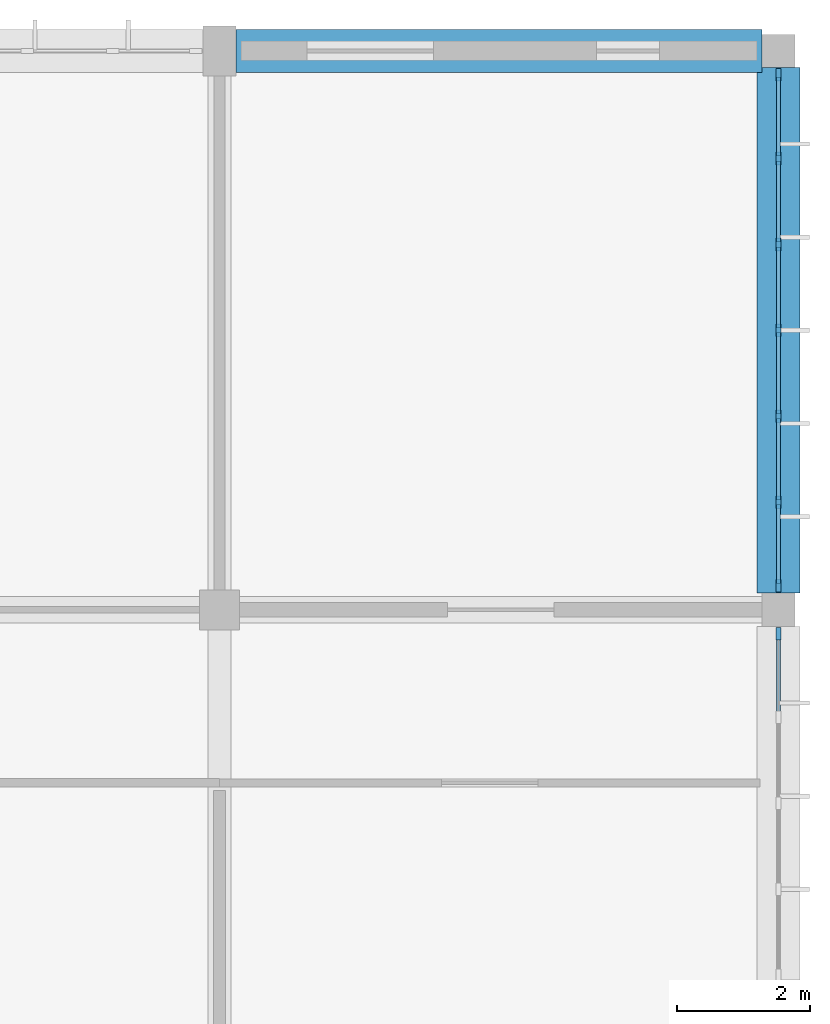
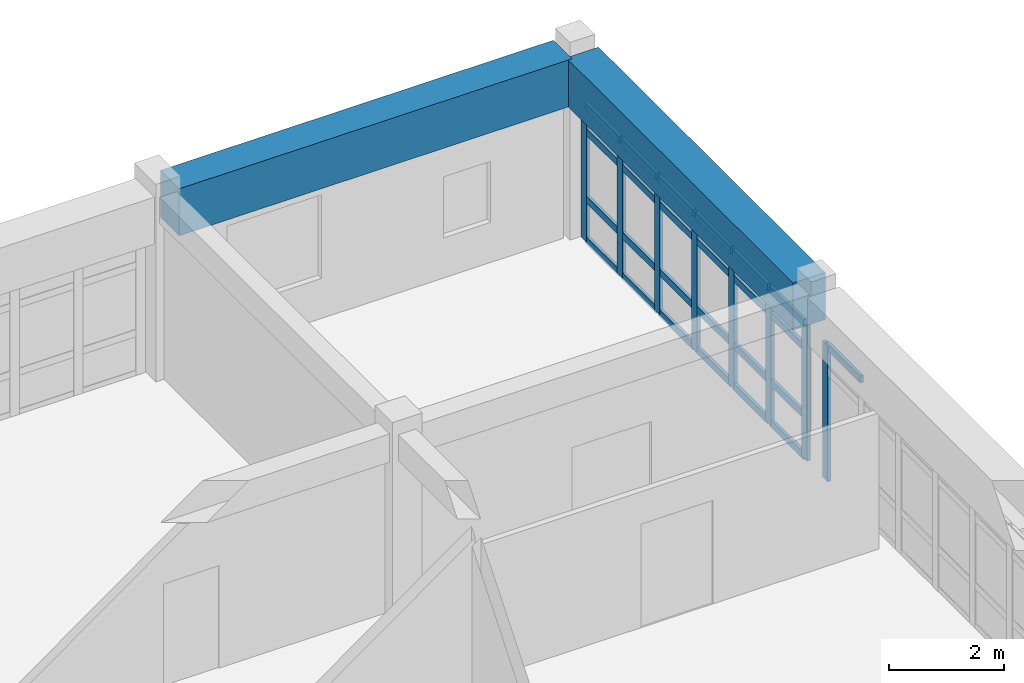
# One storey, part 54 of 119: 33 members, 2 beams, 2 elements without a shape of their own.
"""IFC4 building model written with IfcOpenShell, lengths in metres."""

from ifc_helpers import new_model, si_unit, direction, frame, origin, origin_2d, place, context, subcontext, project, spatial, rectangle, extrude, material, layer, layer_set, material_profile, profile_set, type_object, element, aggregate, save


model = new_model("IFC4")

# Units and contexts
model_context = context("Model", 3, precision=1e-05, world=origin(), true_north=direction((0.0, 1.0)))
body_context = subcontext(model_context, "Body", "Model", "MODEL_VIEW")
ifc_project = project(units=[si_unit("LENGTHUNIT", "METRE"), si_unit("AREAUNIT", "SQUARE_METRE"), si_unit("VOLUMEUNIT", "CUBIC_METRE"), si_unit("PLANEANGLEUNIT", "RADIAN"), si_unit("MASSUNIT", "GRAM", prefix="KILO")], contexts=[model_context])

# Site, building, storey
site_placement = place(None, origin())
site = spatial("IfcSite", under=ifc_project, at=site_placement, CompositionType="ELEMENT")
building_placement = place(site_placement, origin())
building = spatial("IfcBuilding", under=site, at=building_placement, Name="Bramfleet General Hospital", CompositionType="ELEMENT")
storey_placement = place(building_placement, frame((0.0, 0.0, 14.39990234375)))
storey = spatial("IfcBuildingStorey", under=building, at=storey_placement, Name="L03", CompositionType="ELEMENT", Elevation=14.39990234375)

# Beams
ifc_material_1 = material(Name="Concrete C40/50", Category="concrete")
ifc_material_profile_1 = material_profile(ifc_material_1, rectangle(XDim=0.64990234375, YDim=1.0, at=origin_2d()), Name="RC TG 1000x650")
ifc_profile_set_1 = profile_set([ifc_material_profile_1], Name="Concrete C40/50")
beam_type = type_object("IfcBeamType", Name="BM-TG1000", PredefinedType="BEAM", material=ifc_profile_set_1)
beam_1_placement = place(storey_placement, frame((159.85009765625, 117.60009765625, 3.400146484375), z_axis=(1.0, 0.0, 0.0), x_axis=(0.0, 1.0, 0.0)))
element("IfcBeam", 1, at=beam_1_placement, inside=storey, type_object=beam_type, Name="L03 Transfer Girder X 19-14", PredefinedType="BEAM", context=body_context, shape_type="SweptSolid", body=[
    extrude(rectangle(XDim=0.64990234375, YDim=1.0, at=origin_2d()), origin(), (0.0, 0.0, 1.0), 7.89990234375),
])
beam_2_placement = place(storey_placement, frame((168.0, 109.449951171875, 3.400146484375), z_axis=(0.0, 1.0, 0.0), x_axis=(-1.0, 0.0, 0.0)))
element("IfcBeam", 2, at=beam_2_placement, inside=storey, type_object=beam_type, Name="L03 Transfer Girder Y 20-13", PredefinedType="BEAM", context=body_context, shape_type="SweptSolid", body=[
    extrude(rectangle(XDim=0.64990234375, YDim=1.0, at=origin_2d()), origin(), (0.0, 0.0, 1.0), 7.900146484375),
])

# Curtain wall, members
ifc_material_2 = material(Name="Anodised aluminium and low-E triple glazing", Category="aluminium")
ifc_layer_1 = layer(ifc_material_2, 0.179931640625, Name="CWT-CW-04")
ifc_layer_set_1 = layer_set([ifc_layer_1], Name="Anodised aluminium and low-E triple glazing")
curtain_wall_type_1 = type_object("IfcCurtainWallType", Name="CWT-CW-04", PredefinedType="USERDEFINED", material=ifc_layer_set_1)
curtain_wall_1_placement = place(storey_placement, origin())
curtain_wall_1 = element("IfcCurtainWall", 3, at=curtain_wall_1_placement, inside=storey, type_object=curtain_wall_type_1, Name="L03 Curtain Wall 148", ObjectType="Unitised curtain wall", PredefinedType="USERDEFINED")
ifc_material_3 = material(Name="Structural timber GL28h", Category="wood")
ifc_material_profile_2 = material_profile(ifc_material_3, rectangle(XDim=0.070068359375, YDim=0.18994140625, at=origin_2d()), Name="LARCH 190x70")
ifc_profile_set_2 = profile_set([ifc_material_profile_2], Name="Structural timber GL28h")
member_type_1 = type_object("IfcMemberType", Name="CWM-LARCH450", PredefinedType="MULLION", material=ifc_profile_set_2)
member_1_placement = place(storey_placement, frame((168.0, 117.239990234375, 0.0), z_axis=(0.0, 0.0, 1.0), x_axis=(1.0, 0.0, 0.0)))
member_1 = element("IfcMember", 4, at=member_1_placement, type_object=member_type_1, Name="CW-04 mullion 1", PredefinedType="MULLION", context=body_context, shape_type="SweptSolid", body=[
    extrude(rectangle(XDim=0.070068359375, YDim=0.18994140625, at=origin_2d()), origin(), (0.0, 0.0, 1.0), 2.89013671875),
])
member_2_placement = place(storey_placement, frame((168.0, 115.9833984375, 0.0), z_axis=(0.0, 0.0, 1.0), x_axis=(1.0, 0.0, 0.0)))
member_2 = element("IfcMember", 5, at=member_2_placement, type_object=member_type_1, Name="CW-04 mullion 2", PredefinedType="MULLION", context=body_context, shape_type="SweptSolid", body=[
    extrude(rectangle(XDim=0.070068359375, YDim=0.18994140625, at=origin_2d()), origin(), (0.0, 0.0, 1.0), 2.89013671875),
])
member_3_placement = place(storey_placement, frame((168.0, 114.691650390625, 0.0), z_axis=(0.0, 0.0, 1.0), x_axis=(1.0, 0.0, 0.0)))
member_3 = element("IfcMember", 6, at=member_3_placement, type_object=member_type_1, Name="CW-04 mullion 3", PredefinedType="MULLION", context=body_context, shape_type="SweptSolid", body=[
    extrude(rectangle(XDim=0.070068359375, YDim=0.18994140625, at=origin_2d()), origin(), (0.0, 0.0, 1.0), 2.89013671875),
])
member_4_placement = place(storey_placement, frame((168.0, 113.39990234375, 0.0), z_axis=(0.0, 0.0, 1.0), x_axis=(1.0, 0.0, 0.0)))
member_4 = element("IfcMember", 7, at=member_4_placement, type_object=member_type_1, Name="CW-04 mullion 4", PredefinedType="MULLION", context=body_context, shape_type="SweptSolid", body=[
    extrude(rectangle(XDim=0.070068359375, YDim=0.18994140625, at=origin_2d()), origin(), (0.0, 0.0, 1.0), 2.89013671875),
])
member_5_placement = place(storey_placement, frame((168.0, 112.1083984375, 0.0), z_axis=(0.0, 0.0, 1.0), x_axis=(1.0, 0.0, 0.0)))
member_5 = element("IfcMember", 8, at=member_5_placement, type_object=member_type_1, Name="CW-04 mullion 5", PredefinedType="MULLION", context=body_context, shape_type="SweptSolid", body=[
    extrude(rectangle(XDim=0.070068359375, YDim=0.18994140625, at=origin_2d()), origin(), (0.0, 0.0, 1.0), 2.89013671875),
])
member_6_placement = place(storey_placement, frame((168.0, 110.816650390625, 0.0), z_axis=(0.0, 0.0, 1.0), x_axis=(1.0, 0.0, 0.0)))
member_6 = element("IfcMember", 9, at=member_6_placement, type_object=member_type_1, Name="CW-04 mullion 6", PredefinedType="MULLION", context=body_context, shape_type="SweptSolid", body=[
    extrude(rectangle(XDim=0.070068359375, YDim=0.18994140625, at=origin_2d()), origin(), (0.0, 0.0, 1.0), 2.89013671875),
])
member_7_placement = place(storey_placement, frame((168.0, 109.56005859375, 0.0), z_axis=(0.0, 0.0, 1.0), x_axis=(1.0, 0.0, 0.0)))
member_7 = element("IfcMember", 10, at=member_7_placement, type_object=member_type_1, Name="CW-04 mullion 7", PredefinedType="MULLION", context=body_context, shape_type="SweptSolid", body=[
    extrude(rectangle(XDim=0.070068359375, YDim=0.18994140625, at=origin_2d()), origin(), (0.0, 0.0, 1.0), 2.89013671875),
])

# Curtain wall, member
ifc_layer_2 = layer(ifc_material_2, 0.179931640625, Name="CWT-CW-05")
ifc_layer_set_2 = layer_set([ifc_layer_2], Name="Anodised aluminium and low-E triple glazing")
curtain_wall_type_2 = type_object("IfcCurtainWallType", Name="CWT-CW-05", PredefinedType="USERDEFINED", material=ifc_layer_set_2)
curtain_wall_2_placement = place(storey_placement, origin())
curtain_wall_2 = element("IfcCurtainWall", 11, at=curtain_wall_2_placement, inside=storey, type_object=curtain_wall_type_2, Name="L03 Curtain Wall 149", ObjectType="Unitised curtain wall", PredefinedType="USERDEFINED")
member_8_placement = place(storey_placement, frame((168.0, 108.840087890625, 0.0), z_axis=(0.0, 0.0, 1.0), x_axis=(1.0, 0.0, 0.0)))
member_8 = element("IfcMember", 12, at=member_8_placement, type_object=member_type_1, Name="CW-05 mullion 1", PredefinedType="MULLION", context=body_context, shape_type="SweptSolid", body=[
    extrude(rectangle(XDim=0.070068359375, YDim=0.18994140625, at=origin_2d()), origin(), (0.0, 0.0, 1.0), 2.89013671875),
])

# Member
ifc_material_profile_3 = material_profile(ifc_material_3, rectangle(XDim=0.06494140625, YDim=0.14990234375, at=origin_2d()), Name="LARCH 150x65")
ifc_profile_set_3 = profile_set([ifc_material_profile_3], Name="Structural timber GL28h")
member_type_2 = type_object("IfcMemberType", Name="CWT-LARCH220", PredefinedType="USERDEFINED", material=ifc_profile_set_3)
member_9_placement = place(storey_placement, frame((168.0, 117.205078125, 0.03271484375), z_axis=(0.0, -1.0, 0.0), x_axis=(1.0, 0.0, 0.0)))
member_9 = element("IfcMember", 13, at=member_9_placement, type_object=member_type_2, Name="CW-04 transom 1.1", ObjectType="TRANSOM", PredefinedType="USERDEFINED", context=body_context, shape_type="SweptSolid", body=[
    extrude(rectangle(XDim=0.06494140625, YDim=0.14990234375, at=origin_2d()), origin(), (0.0, 0.0, 1.0), 1.186767578125),
])

member_10_placement = place(storey_placement, frame((168.0, 117.205078125, 0.900146484375), z_axis=(0.0, -1.0, 0.0), x_axis=(1.0, 0.0, 0.0)))
member_10 = element("IfcMember", 14, at=member_10_placement, type_object=member_type_2, Name="CW-04 transom 1.2", ObjectType="TRANSOM", PredefinedType="USERDEFINED", context=body_context, shape_type="SweptSolid", body=[
    extrude(rectangle(XDim=0.06494140625, YDim=0.14990234375, at=origin_2d()), origin(), (0.0, 0.0, 1.0), 1.186767578125),
])

member_11_placement = place(storey_placement, frame((168.0, 117.205078125, 2.340087890625), z_axis=(0.0, -1.0, 0.0), x_axis=(1.0, 0.0, 0.0)))
member_11 = element("IfcMember", 15, at=member_11_placement, type_object=member_type_2, Name="CW-04 transom 1.3", ObjectType="TRANSOM", PredefinedType="USERDEFINED", context=body_context, shape_type="SweptSolid", body=[
    extrude(rectangle(XDim=0.06494140625, YDim=0.14990234375, at=origin_2d()), origin(), (0.0, 0.0, 1.0), 1.186767578125),
])

member_12_placement = place(storey_placement, frame((168.0, 117.205078125, 2.857666015625), z_axis=(0.0, -1.0, 0.0), x_axis=(1.0, 0.0, 0.0)))
member_12 = element("IfcMember", 16, at=member_12_placement, type_object=member_type_2, Name="CW-04 transom 1.4", ObjectType="TRANSOM", PredefinedType="USERDEFINED", context=body_context, shape_type="SweptSolid", body=[
    extrude(rectangle(XDim=0.06494140625, YDim=0.14990234375, at=origin_2d()), origin(), (0.0, 0.0, 1.0), 1.186767578125),
])

member_13_placement = place(storey_placement, frame((168.0, 115.9482421875, 0.03271484375), z_axis=(0.0, -1.0, 0.0), x_axis=(1.0, 0.0, 0.0)))
member_13 = element("IfcMember", 17, at=member_13_placement, type_object=member_type_2, Name="CW-04 transom 2.1", ObjectType="TRANSOM", PredefinedType="USERDEFINED", context=body_context, shape_type="SweptSolid", body=[
    extrude(rectangle(XDim=0.06494140625, YDim=0.14990234375, at=origin_2d()), origin(), (0.0, 0.0, 1.0), 1.2216796875),
])

member_14_placement = place(storey_placement, frame((168.0, 115.9482421875, 0.900146484375), z_axis=(0.0, -1.0, 0.0), x_axis=(1.0, 0.0, 0.0)))
member_14 = element("IfcMember", 18, at=member_14_placement, type_object=member_type_2, Name="CW-04 transom 2.2", ObjectType="TRANSOM", PredefinedType="USERDEFINED", context=body_context, shape_type="SweptSolid", body=[
    extrude(rectangle(XDim=0.06494140625, YDim=0.14990234375, at=origin_2d()), origin(), (0.0, 0.0, 1.0), 1.2216796875),
])

member_15_placement = place(storey_placement, frame((168.0, 115.9482421875, 2.340087890625), z_axis=(0.0, -1.0, 0.0), x_axis=(1.0, 0.0, 0.0)))
member_15 = element("IfcMember", 19, at=member_15_placement, type_object=member_type_2, Name="CW-04 transom 2.3", ObjectType="TRANSOM", PredefinedType="USERDEFINED", context=body_context, shape_type="SweptSolid", body=[
    extrude(rectangle(XDim=0.06494140625, YDim=0.14990234375, at=origin_2d()), origin(), (0.0, 0.0, 1.0), 1.2216796875),
])

member_16_placement = place(storey_placement, frame((168.0, 115.9482421875, 2.857666015625), z_axis=(0.0, -1.0, 0.0), x_axis=(1.0, 0.0, 0.0)))
member_16 = element("IfcMember", 20, at=member_16_placement, type_object=member_type_2, Name="CW-04 transom 2.4", ObjectType="TRANSOM", PredefinedType="USERDEFINED", context=body_context, shape_type="SweptSolid", body=[
    extrude(rectangle(XDim=0.06494140625, YDim=0.14990234375, at=origin_2d()), origin(), (0.0, 0.0, 1.0), 1.2216796875),
])

member_17_placement = place(storey_placement, frame((168.0, 114.65673828125, 0.03271484375), z_axis=(0.0, -1.0, 0.0), x_axis=(1.0, 0.0, 0.0)))
member_17 = element("IfcMember", 21, at=member_17_placement, type_object=member_type_2, Name="CW-04 transom 3.1", ObjectType="TRANSOM", PredefinedType="USERDEFINED", context=body_context, shape_type="SweptSolid", body=[
    extrude(rectangle(XDim=0.06494140625, YDim=0.14990234375, at=origin_2d()), origin(), (0.0, 0.0, 1.0), 1.2216796875),
])

member_18_placement = place(storey_placement, frame((168.0, 114.65673828125, 0.900146484375), z_axis=(0.0, -1.0, 0.0), x_axis=(1.0, 0.0, 0.0)))
member_18 = element("IfcMember", 22, at=member_18_placement, type_object=member_type_2, Name="CW-04 transom 3.2", ObjectType="TRANSOM", PredefinedType="USERDEFINED", context=body_context, shape_type="SweptSolid", body=[
    extrude(rectangle(XDim=0.06494140625, YDim=0.14990234375, at=origin_2d()), origin(), (0.0, 0.0, 1.0), 1.2216796875),
])

member_19_placement = place(storey_placement, frame((168.0, 114.65673828125, 2.340087890625), z_axis=(0.0, -1.0, 0.0), x_axis=(1.0, 0.0, 0.0)))
member_19 = element("IfcMember", 23, at=member_19_placement, type_object=member_type_2, Name="CW-04 transom 3.3", ObjectType="TRANSOM", PredefinedType="USERDEFINED", context=body_context, shape_type="SweptSolid", body=[
    extrude(rectangle(XDim=0.06494140625, YDim=0.14990234375, at=origin_2d()), origin(), (0.0, 0.0, 1.0), 1.2216796875),
])

member_20_placement = place(storey_placement, frame((168.0, 114.65673828125, 2.857666015625), z_axis=(0.0, -1.0, 0.0), x_axis=(1.0, 0.0, 0.0)))
member_20 = element("IfcMember", 24, at=member_20_placement, type_object=member_type_2, Name="CW-04 transom 3.4", ObjectType="TRANSOM", PredefinedType="USERDEFINED", context=body_context, shape_type="SweptSolid", body=[
    extrude(rectangle(XDim=0.06494140625, YDim=0.14990234375, at=origin_2d()), origin(), (0.0, 0.0, 1.0), 1.2216796875),
])

member_21_placement = place(storey_placement, frame((168.0, 113.364990234375, 0.03271484375), z_axis=(0.0, -1.0, 0.0), x_axis=(1.0, 0.0, 0.0)))
member_21 = element("IfcMember", 25, at=member_21_placement, type_object=member_type_2, Name="CW-04 transom 4.1", ObjectType="TRANSOM", PredefinedType="USERDEFINED", context=body_context, shape_type="SweptSolid", body=[
    extrude(rectangle(XDim=0.06494140625, YDim=0.14990234375, at=origin_2d()), origin(), (0.0, 0.0, 1.0), 1.2216796875),
])

member_22_placement = place(storey_placement, frame((168.0, 113.364990234375, 0.900146484375), z_axis=(0.0, -1.0, 0.0), x_axis=(1.0, 0.0, 0.0)))
member_22 = element("IfcMember", 26, at=member_22_placement, type_object=member_type_2, Name="CW-04 transom 4.2", ObjectType="TRANSOM", PredefinedType="USERDEFINED", context=body_context, shape_type="SweptSolid", body=[
    extrude(rectangle(XDim=0.06494140625, YDim=0.14990234375, at=origin_2d()), origin(), (0.0, 0.0, 1.0), 1.2216796875),
])

member_23_placement = place(storey_placement, frame((168.0, 113.364990234375, 2.340087890625), z_axis=(0.0, -1.0, 0.0), x_axis=(1.0, 0.0, 0.0)))
member_23 = element("IfcMember", 27, at=member_23_placement, type_object=member_type_2, Name="CW-04 transom 4.3", ObjectType="TRANSOM", PredefinedType="USERDEFINED", context=body_context, shape_type="SweptSolid", body=[
    extrude(rectangle(XDim=0.06494140625, YDim=0.14990234375, at=origin_2d()), origin(), (0.0, 0.0, 1.0), 1.2216796875),
])

member_24_placement = place(storey_placement, frame((168.0, 113.364990234375, 2.857666015625), z_axis=(0.0, -1.0, 0.0), x_axis=(1.0, 0.0, 0.0)))
member_24 = element("IfcMember", 28, at=member_24_placement, type_object=member_type_2, Name="CW-04 transom 4.4", ObjectType="TRANSOM", PredefinedType="USERDEFINED", context=body_context, shape_type="SweptSolid", body=[
    extrude(rectangle(XDim=0.06494140625, YDim=0.14990234375, at=origin_2d()), origin(), (0.0, 0.0, 1.0), 1.2216796875),
])

member_25_placement = place(storey_placement, frame((168.0, 112.0732421875, 0.03271484375), z_axis=(0.0, -1.0, 0.0), x_axis=(1.0, 0.0, 0.0)))
member_25 = element("IfcMember", 29, at=member_25_placement, type_object=member_type_2, Name="CW-04 transom 5.1", ObjectType="TRANSOM", PredefinedType="USERDEFINED", context=body_context, shape_type="SweptSolid", body=[
    extrude(rectangle(XDim=0.06494140625, YDim=0.14990234375, at=origin_2d()), origin(), (0.0, 0.0, 1.0), 1.2216796875),
])

member_26_placement = place(storey_placement, frame((168.0, 112.0732421875, 0.900146484375), z_axis=(0.0, -1.0, 0.0), x_axis=(1.0, 0.0, 0.0)))
member_26 = element("IfcMember", 30, at=member_26_placement, type_object=member_type_2, Name="CW-04 transom 5.2", ObjectType="TRANSOM", PredefinedType="USERDEFINED", context=body_context, shape_type="SweptSolid", body=[
    extrude(rectangle(XDim=0.06494140625, YDim=0.14990234375, at=origin_2d()), origin(), (0.0, 0.0, 1.0), 1.2216796875),
])

member_27_placement = place(storey_placement, frame((168.0, 112.0732421875, 2.340087890625), z_axis=(0.0, -1.0, 0.0), x_axis=(1.0, 0.0, 0.0)))
member_27 = element("IfcMember", 31, at=member_27_placement, type_object=member_type_2, Name="CW-04 transom 5.3", ObjectType="TRANSOM", PredefinedType="USERDEFINED", context=body_context, shape_type="SweptSolid", body=[
    extrude(rectangle(XDim=0.06494140625, YDim=0.14990234375, at=origin_2d()), origin(), (0.0, 0.0, 1.0), 1.2216796875),
])

member_28_placement = place(storey_placement, frame((168.0, 112.0732421875, 2.857666015625), z_axis=(0.0, -1.0, 0.0), x_axis=(1.0, 0.0, 0.0)))
member_28 = element("IfcMember", 32, at=member_28_placement, type_object=member_type_2, Name="CW-04 transom 5.4", ObjectType="TRANSOM", PredefinedType="USERDEFINED", context=body_context, shape_type="SweptSolid", body=[
    extrude(rectangle(XDim=0.06494140625, YDim=0.14990234375, at=origin_2d()), origin(), (0.0, 0.0, 1.0), 1.2216796875),
])

member_29_placement = place(storey_placement, frame((168.0, 110.78173828125, 0.03271484375), z_axis=(0.0, -1.0, 0.0), x_axis=(1.0, 0.0, 0.0)))
member_29 = element("IfcMember", 33, at=member_29_placement, type_object=member_type_2, Name="CW-04 transom 6.1", ObjectType="TRANSOM", PredefinedType="USERDEFINED", context=body_context, shape_type="SweptSolid", body=[
    extrude(rectangle(XDim=0.06494140625, YDim=0.14990234375, at=origin_2d()), origin(), (0.0, 0.0, 1.0), 1.186767578125),
])

member_30_placement = place(storey_placement, frame((168.0, 110.78173828125, 0.900146484375), z_axis=(0.0, -1.0, 0.0), x_axis=(1.0, 0.0, 0.0)))
member_30 = element("IfcMember", 34, at=member_30_placement, type_object=member_type_2, Name="CW-04 transom 6.2", ObjectType="TRANSOM", PredefinedType="USERDEFINED", context=body_context, shape_type="SweptSolid", body=[
    extrude(rectangle(XDim=0.06494140625, YDim=0.14990234375, at=origin_2d()), origin(), (0.0, 0.0, 1.0), 1.186767578125),
])

member_31_placement = place(storey_placement, frame((168.0, 110.78173828125, 2.340087890625), z_axis=(0.0, -1.0, 0.0), x_axis=(1.0, 0.0, 0.0)))
member_31 = element("IfcMember", 35, at=member_31_placement, type_object=member_type_2, Name="CW-04 transom 6.3", ObjectType="TRANSOM", PredefinedType="USERDEFINED", context=body_context, shape_type="SweptSolid", body=[
    extrude(rectangle(XDim=0.06494140625, YDim=0.14990234375, at=origin_2d()), origin(), (0.0, 0.0, 1.0), 1.186767578125),
])

member_32_placement = place(storey_placement, frame((168.0, 110.78173828125, 2.857666015625), z_axis=(0.0, -1.0, 0.0), x_axis=(1.0, 0.0, 0.0)))
member_32 = element("IfcMember", 36, at=member_32_placement, type_object=member_type_2, Name="CW-04 transom 6.4", ObjectType="TRANSOM", PredefinedType="USERDEFINED", context=body_context, shape_type="SweptSolid", body=[
    extrude(rectangle(XDim=0.06494140625, YDim=0.14990234375, at=origin_2d()), origin(), (0.0, 0.0, 1.0), 1.186767578125),
])

aggregate(curtain_wall_1, [member_1, member_2, member_3, member_4, member_5, member_6, member_7, member_9, member_10, member_11, member_12, member_13, member_14, member_15, member_16, member_17, member_18, member_19, member_20, member_21, member_22, member_23, member_24, member_25, member_26, member_27, member_28, member_29, member_30, member_31, member_32])

member_33_placement = place(storey_placement, frame((168.0, 108.804931640625, 2.857666015625), z_axis=(0.0, -1.0, 0.0), x_axis=(1.0, 0.0, 0.0)))
member_33 = element("IfcMember", 37, at=member_33_placement, type_object=member_type_2, Name="CW-05 transom 1.4", ObjectType="TRANSOM", PredefinedType="USERDEFINED", context=body_context, shape_type="SweptSolid", body=[
    extrude(rectangle(XDim=0.06494140625, YDim=0.14990234375, at=origin_2d()), origin(), (0.0, 0.0, 1.0), 1.1865234375),
])

aggregate(curtain_wall_2, [member_8, member_33])

save(model, "model.ifc")
